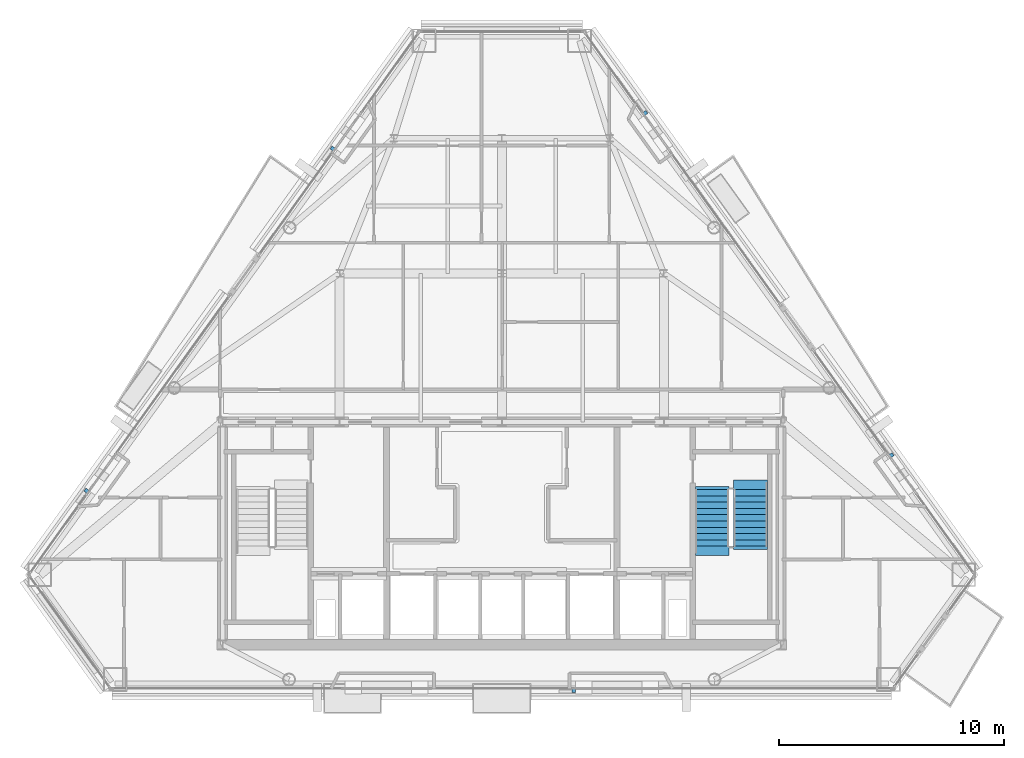
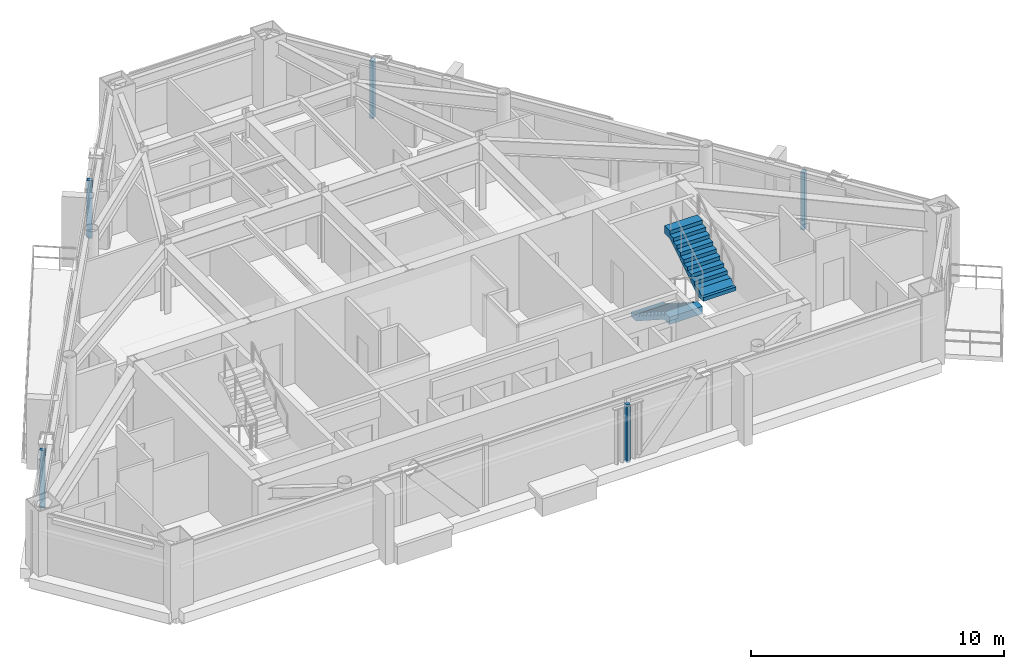
# One storey, part 10 of 12: 5 discrete accessories, 2 stair flights, 1 element without a shape of its own.
"""IFC4 building model written with IfcOpenShell, lengths in metres."""

from ifc_helpers import new_model, si_unit, direction, frame, origin, origin_2d, place, context, subcontext, project, spatial, polyline, rectangle, outline, extrude, source, transform, mapped, material, layer, layer_set, type_object, type_shapes, element, aggregate, save


model = new_model("IFC4")

# Units and contexts
model_context = context("Model", 3, precision=1e-05, world=origin(), true_north=direction((0.0, 1.0)))
body_context = subcontext(model_context, "Body", "Model", "MODEL_VIEW")
ifc_project = project(units=[si_unit("LENGTHUNIT", "METRE"), si_unit("AREAUNIT", "SQUARE_METRE"), si_unit("VOLUMEUNIT", "CUBIC_METRE"), si_unit("PLANEANGLEUNIT", "RADIAN"), si_unit("MASSUNIT", "GRAM", prefix="KILO")], contexts=[model_context])

# Site, building, storey
site_placement = place(None, origin())
site = spatial("IfcSite", under=ifc_project, at=site_placement, CompositionType="ELEMENT")
building_placement = place(site_placement, origin())
building = spatial("IfcBuilding", under=site, at=building_placement, Name="Talgorran Terracotta Tower", CompositionType="ELEMENT")
storey_placement = place(building_placement, frame((0.0, 0.0, 192.89990234375)))
storey = spatial("IfcBuildingStorey", under=building, at=storey_placement, Name="L50", CompositionType="ELEMENT", Elevation=192.89990234375)

# Stair, stair flights
ifc_material_1 = material(Name="Concrete C40/50", Category="concrete")
stair_type = type_object("IfcStairType", Name="ST_FIRE_SCISSOR", PredefinedType="HALF_TURN_STAIR", material=ifc_material_1)
stair_placement = place(storey_placement, origin())
stair = element("IfcStair", 1, at=stair_placement, inside=storey, type_object=stair_type, Name="L50 East Protected Fire Stair ST-02", PredefinedType="HALF_TURN_STAIR")
ifc_layer_1 = layer(ifc_material_1, 0.179931640625, Name="STF_RC_1500")
ifc_layer_set_1 = layer_set([ifc_layer_1], Name="Concrete C40/50")
stair_flight_type = type_object("IfcStairFlightType", Name="STF_RC_1500", PredefinedType="STRAIGHT", material=ifc_layer_set_1)
stair_flight_1_placement = place(storey_placement, frame((9.35009765625, -7.199951171875, 0.0), z_axis=(0.0, 0.0, 1.0), x_axis=(0.0, -1.0, 0.0)))
stair_flight_1 = element("IfcStairFlight", 2, at=stair_flight_1_placement, type_object=stair_flight_type, Name="ST-02 flight 1", NumberOfRisers=10, NumberOfTreads=9, PredefinedType="STRAIGHT", RiserHeight=0.18, TreadLength=0.28, context=body_context, shape_type="SweptSolid", body=[
    extrude(outline(polyline([(-0.139892578125, 0.0), (-0.139892578125, 0.179931640625), (0.0, 0.179931640625), (0.280029296875, 0.360107421875), (0.56005859375, 0.360107421875), (0.56005859375, 0.5400390625), (0.840087890625, 0.5400390625), (0.840087890625, 0.719970703125), (1.1201171875, 0.719970703125), (1.1201171875, 0.89990234375), (1.39990234375, 0.89990234375), (1.39990234375, 1.080078125), (1.679931640625, 1.080078125), (1.679931640625, 1.260009765625), (1.9599609375, 1.260009765625), (1.9599609375, 1.43994140625), (2.239990234375, 1.43994140625), (2.239990234375, 1.6201171875), (2.52001953125, 1.6201171875), (2.52001953125, 1.800048828125), (2.93994140625, 1.800048828125), (2.93994140625, 1.44189453125), (2.52001953125, 1.44189453125), (0.277099609375, 0.0), (-0.139892578125, 0.0)])), frame((0.0, 0.75, 0.0), z_axis=(0.0, -1.0, 0.0), x_axis=(1.0, 0.0, 0.0)), (0.0, 0.0, 1.0), 1.5),
])
stair_flight_2_placement = place(storey_placement, frame((11.050048828125, -9.719970703125, 1.800048828125), z_axis=(0.0, 0.0, 1.0), x_axis=(0.0, 1.0, 0.0)))
stair_flight_2 = element("IfcStairFlight", 3, at=stair_flight_2_placement, type_object=stair_flight_type, Name="ST-02 flight 2", NumberOfRisers=10, NumberOfTreads=9, PredefinedType="STRAIGHT", RiserHeight=0.18, TreadLength=0.28, context=body_context, shape_type="SweptSolid", body=[
    extrude(outline(polyline([(-0.139892578125, 0.0), (-0.139892578125, 0.179931640625), (0.0, 0.179931640625), (0.280029296875, 0.360107421875), (0.56005859375, 0.360107421875), (0.56005859375, 0.5400390625), (0.840087890625, 0.5400390625), (0.840087890625, 0.719970703125), (1.1201171875, 0.719970703125), (1.1201171875, 0.89990234375), (1.39990234375, 0.89990234375), (1.39990234375, 1.080078125), (1.679931640625, 1.080078125), (1.679931640625, 1.260009765625), (1.9599609375, 1.260009765625), (1.9599609375, 1.43994140625), (2.239990234375, 1.43994140625), (2.239990234375, 1.6201171875), (2.52001953125, 1.6201171875), (2.52001953125, 1.800048828125), (2.93994140625, 1.800048828125), (2.93994140625, 1.44189453125), (2.52001953125, 1.44189453125), (0.277099609375, 0.0), (-0.139892578125, 0.0)])), frame((0.0, 0.75, 0.0), z_axis=(0.0, -1.0, 0.0), x_axis=(1.0, 0.0, 0.0)), (0.0, 0.0, 1.0), 1.5),
])
aggregate(stair, [stair_flight_1, stair_flight_2])

# Discrete accessories
ifc_material_2 = material(Name="Stainless Steel Grade 316", Category="steel")
ifc_layer_2 = layer(ifc_material_2, 0.080078125, Name="ACC_BAGUETTE_BRKT")
ifc_layer_set_2 = layer_set([ifc_layer_2], Name="Stainless Steel Grade 316")
discrete_accessory_type = type_object("IfcDiscreteAccessoryType", Name="ACC_BAGUETTE_BRKT", PredefinedType="BRACKET", material=ifc_layer_set_2)
shared_shape = source(origin(), body_context, "Body", "SweptSolid", [
    extrude(rectangle(XDim=0.159912109375, YDim=0.219970703125, at=origin_2d()), origin(), (0.0, 0.0, 1.0), 2.800048828125),
])
type_shapes(discrete_accessory_type, [shared_shape])
for number, where, z_axis, x_axis, name in (
    (4, (3.207275390625, -16.111083984375, 0.35009765625), (0.0, 0.0, 1.0), (1.0, 0.0, 0.0), "BRK-L50-F1"),
    (5, (17.291015625, -5.693115234375, 0.35009765625), (0.0, 0.0, 1.0), (-0.583980505394, 0.811767681864, 0.0), "BRK-L50-F40"),
    (6, (6.35498046875, 9.50830078125, 0.35009765625), (0.0, 0.0, 1.0), (-0.583980505394, 0.811767681864, 0.0), "BRK-L50-F41"),
    (7, (-7.49169921875, 7.928466796875, 0.35009765625), (0.0, 0.0, 1.0), (-0.583980505394, -0.811767681864, 0.0), "BRK-L50-F60"),
    (8, (-18.427490234375, -7.27294921875, 0.35009765625), (0.0, 0.0, 1.0), (-0.583980505394, -0.811767681864, 0.0), "BRK-L50-F61"),
):
    element("IfcDiscreteAccessory", number, at=place(storey_placement, frame(where, z_axis=z_axis, x_axis=x_axis)), inside=storey, type_object=discrete_accessory_type, Name=name, PredefinedType="BRACKET", context=body_context, shape_type="MappedRepresentation", body=[
        mapped(shared_shape, transform((0.0, 0.0, 0.0), scale=1.0)),
    ])

save(model, "model.ifc")
